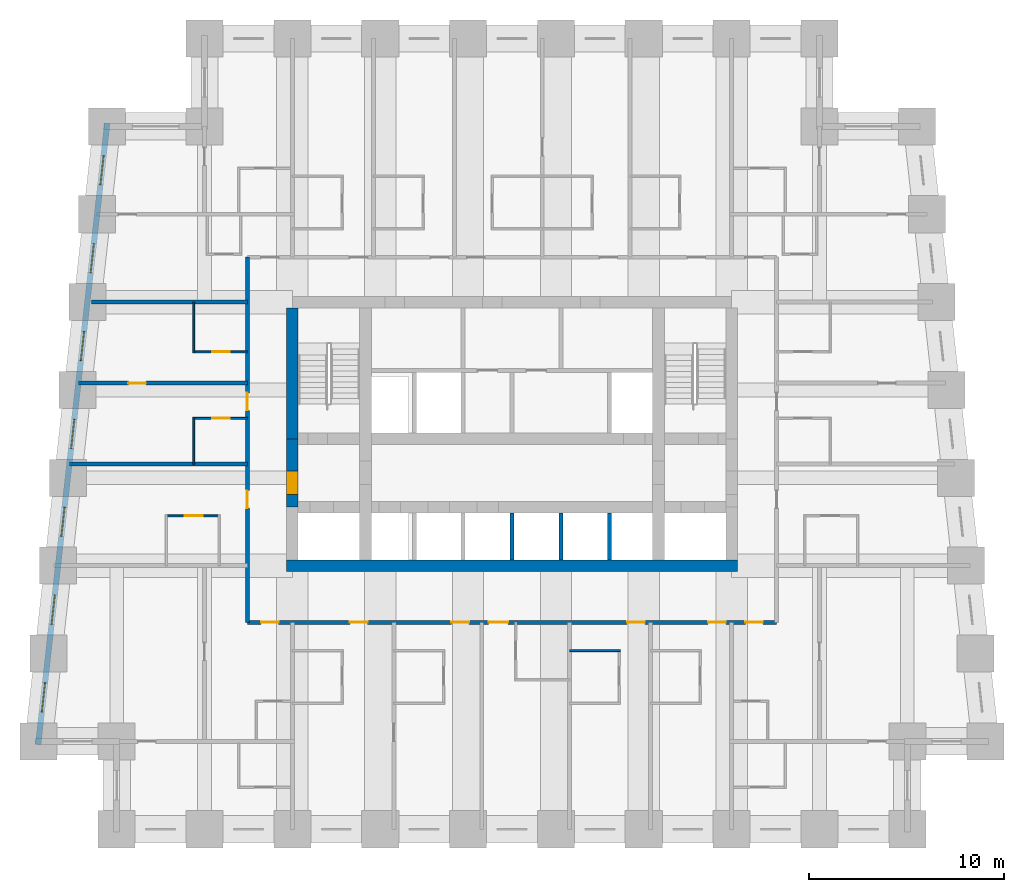
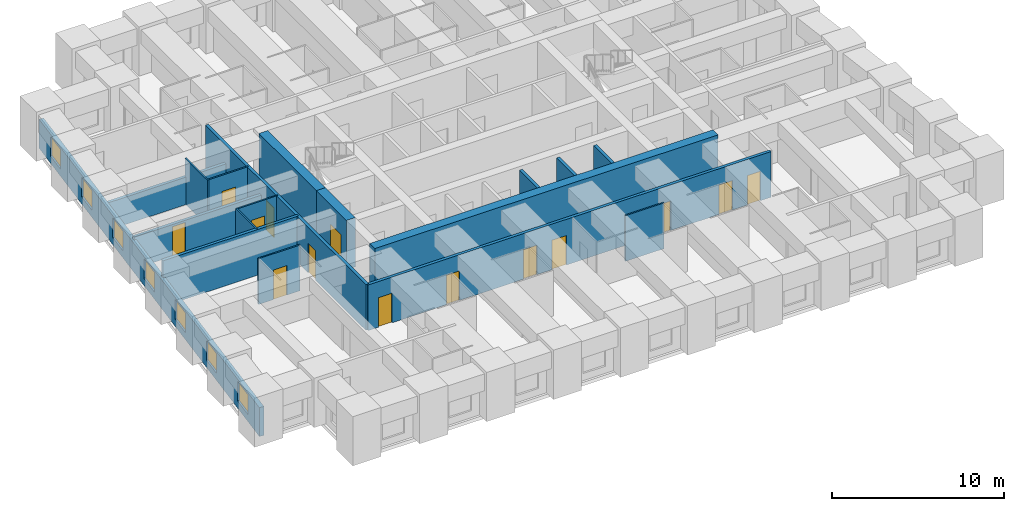
# One storey, part 3 of 8: 18 walls, 14 doors, 7 windows, 21 openings.
"""IFC4 building model written with IfcOpenShell, lengths in metres."""

from ifc_helpers import new_model, si_unit, direction, frame, frame_2d, origin, place, context, subcontext, project, spatial, rectangle, extrude, material, layer, layer_set, type_object, element, fill, save


model = new_model("IFC4")

# Units and contexts
model_context = context("Model", 3, precision=1e-05, world=origin(), true_north=direction((0.0, 1.0)))
body_context = subcontext(model_context, "Body", "Model", "MODEL_VIEW")
ifc_project = project(units=[si_unit("LENGTHUNIT", "METRE"), si_unit("AREAUNIT", "SQUARE_METRE"), si_unit("VOLUMEUNIT", "CUBIC_METRE"), si_unit("PLANEANGLEUNIT", "RADIAN"), si_unit("MASSUNIT", "GRAM", prefix="KILO")], contexts=[model_context])

# Site, building, storey
site_placement = place(None, origin())
site = spatial("IfcSite", under=ifc_project, at=site_placement, CompositionType="ELEMENT")
building_placement = place(site_placement, origin())
building = spatial("IfcBuilding", under=site, at=building_placement, Name="Kilele Tower Hotel", CompositionType="ELEMENT")
storey_placement = place(building_placement, frame((0.0, 0.0, 40.199951171875)))
storey = spatial("IfcBuildingStorey", under=building, at=storey_placement, Name="L08", CompositionType="ELEMENT", Elevation=40.199951171875)

# Wall
ifc_material_1 = material(Name="Moisture-resistant board")
ifc_layer_1 = layer(ifc_material_1, 0.10009765625)
ifc_layer_set_1 = layer_set([ifc_layer_1], Name="Moisture-resistant board")
wall_type_1 = type_object("IfcWallType", Name="Bathroom partition 100", PredefinedType="PLUMBINGWALL", material=ifc_layer_set_1)
wall_1_placement = place(storey_placement, frame((27.699951171875, 9.14990234375, 0.0), z_axis=(0.0, 0.0, 1.0), x_axis=(1.0, 0.0, 0.0)))
element("IfcWall", 1, at=wall_1_placement, inside=storey, type_object=wall_type_1, Name="Bathroom partition 100 L08", PredefinedType="PLUMBINGWALL", context=body_context, shape_type="SweptSolid", body=[
    extrude(rectangle(XDim=2.60009765625, YDim=0.10009765625, at=frame_2d((1.300048828125, 0.0))), origin(), (0.0, 0.0, 1.0), 3.25),
])

# Wall, opening, door
wall_2_placement = place(storey_placement, frame((9.800048828125, 16.050048828125, 0.0), z_axis=(0.0, 0.0, 1.0), x_axis=(-1.0, 0.0, 0.0)))
wall_2 = element("IfcWall", 2, at=wall_2_placement, inside=storey, type_object=wall_type_1, Name="Bathroom partition 100 L08", PredefinedType="PLUMBINGWALL", context=body_context, shape_type="SweptSolid", body=[
    extrude(rectangle(XDim=2.800048828125, YDim=0.10009765625, at=frame_2d((1.39990234375, 0.0))), origin(), (0.0, 0.0, 1.0), 3.25),
])
opening_1_placement = place(wall_2_placement, frame((1.7998046875, 0.0, 0.0), z_axis=(0.0, 0.0, 1.0), x_axis=(-1.0, 0.0, 0.0)))
opening_1 = element("IfcOpeningElement", 3, at=opening_1_placement, cuts=wall_2, Name="Opening D2A", PredefinedType="OPENING", context=body_context, shape_type="SweptSolid", body=[
    extrude(rectangle(XDim=0.89990234375, YDim=2.10009765625, at=frame_2d((0.449951171875, 1.050048828125))), frame((0.0, 0.06005859375, 0.0), z_axis=(0.0, -1.0, 0.0), x_axis=(1.0, 0.0, 0.0)), (0.0, 0.0, 1.0), 0.1201171875),
])
ifc_material_2 = material(Name="Timber door leaf in hardwood frame", Category="wood")
door_type_1 = type_object("IfcDoorType", Name="Bathroom door 900", OperationType="SINGLE_SWING_LEFT", PredefinedType="DOOR", material=ifc_material_2)
door_1_placement = place(opening_1_placement, origin())
door_1 = element("IfcDoor", 4, at=door_1_placement, inside=storey, type_object=door_type_1, Name="Bathroom door 0814B", OperationType="SINGLE_SWING_RIGHT", OverallHeight=2.10009765625, OverallWidth=0.89990234375, PredefinedType="DOOR", context=body_context, shape_type="SweptSolid", body=[
    extrude(rectangle(XDim=0.89990234375, YDim=2.10009765625, at=frame_2d((0.449951171875, 1.050048828125))), frame((0.0, 0.02490234375, 0.0), z_axis=(0.0, -1.0, 0.0), x_axis=(1.0, 0.0, 0.0)), (0.0, 0.0, 1.0), 0.050048828125),
])
fill(opening_1, door_1)

# Wall
wall_3_placement = place(storey_placement, frame((8.449951171875, 18.699951171875, 0.0), z_axis=(0.0, 0.0, 1.0), x_axis=(0.0, 1.0, 0.0)))
element("IfcWall", 5, at=wall_3_placement, inside=storey, type_object=wall_type_1, Name="Bathroom partition 100 L08", PredefinedType="PLUMBINGWALL", context=body_context, shape_type="SweptSolid", body=[
    extrude(rectangle(XDim=2.400146484375, YDim=0.10009765625, at=frame_2d((1.2001953125, 0.0))), origin(), (0.0, 0.0, 1.0), 3.25),
])

# Wall, opening, door
wall_4_placement = place(storey_placement, frame((11.199951171875, 21.050048828125, 0.0), z_axis=(0.0, 0.0, 1.0), x_axis=(-1.0, 0.0, 0.0)))
wall_4 = element("IfcWall", 6, at=wall_4_placement, inside=storey, type_object=wall_type_1, Name="Bathroom partition 100 L08", PredefinedType="PLUMBINGWALL", context=body_context, shape_type="SweptSolid", body=[
    extrude(rectangle(XDim=2.800048828125, YDim=0.10009765625, at=frame_2d((1.39990234375, 0.0))), origin(), (0.0, 0.0, 1.0), 3.25),
])
opening_2_placement = place(wall_4_placement, frame((1.7998046875, 0.0, 0.0), z_axis=(0.0, 0.0, 1.0), x_axis=(-1.0, 0.0, 0.0)))
opening_2 = element("IfcOpeningElement", 7, at=opening_2_placement, cuts=wall_4, Name="Opening D2A", PredefinedType="OPENING", context=body_context, shape_type="SweptSolid", body=[
    extrude(rectangle(XDim=0.89990234375, YDim=2.10009765625, at=frame_2d((0.449951171875, 1.050048828125))), frame((0.0, 0.06005859375, 0.0), z_axis=(0.0, -1.0, 0.0), x_axis=(1.0, 0.0, 0.0)), (0.0, 0.0, 1.0), 0.1201171875),
])
door_2_placement = place(opening_2_placement, origin())
door_2 = element("IfcDoor", 8, at=door_2_placement, inside=storey, type_object=door_type_1, Name="Bathroom door 0815B", OperationType="SINGLE_SWING_RIGHT", OverallHeight=2.10009765625, OverallWidth=0.89990234375, PredefinedType="DOOR", context=body_context, shape_type="SweptSolid", body=[
    extrude(rectangle(XDim=0.89990234375, YDim=2.10009765625, at=frame_2d((0.449951171875, 1.050048828125))), frame((0.0, 0.02490234375, 0.0), z_axis=(0.0, -1.0, 0.0), x_axis=(1.0, 0.0, 0.0)), (0.0, 0.0, 1.0), 0.050048828125),
])
fill(opening_2, door_2)

# Wall
wall_5_placement = place(storey_placement, frame((8.449951171875, 24.39990234375, 0.0), z_axis=(0.0, 0.0, 1.0), x_axis=(0.0, 1.0, 0.0)))
element("IfcWall", 9, at=wall_5_placement, inside=storey, type_object=wall_type_1, Name="Bathroom partition 100 L08", PredefinedType="PLUMBINGWALL", context=body_context, shape_type="SweptSolid", body=[
    extrude(rectangle(XDim=2.60009765625, YDim=0.10009765625, at=frame_2d((1.300048828125, 0.0))), origin(), (0.0, 0.0, 1.0), 3.25),
])

# Wall, opening, door
wall_6_placement = place(storey_placement, frame((11.199951171875, 24.449951171875, 0.0), z_axis=(0.0, 0.0, 1.0), x_axis=(-1.0, 0.0, 0.0)))
wall_6 = element("IfcWall", 10, at=wall_6_placement, inside=storey, type_object=wall_type_1, Name="Bathroom partition 100 L08", PredefinedType="PLUMBINGWALL", context=body_context, shape_type="SweptSolid", body=[
    extrude(rectangle(XDim=2.800048828125, YDim=0.10009765625, at=frame_2d((1.39990234375, 0.0))), origin(), (0.0, 0.0, 1.0), 3.25),
])
opening_3_placement = place(wall_6_placement, frame((0.89990234375, 0.0, 0.0)))
opening_3 = element("IfcOpeningElement", 11, at=opening_3_placement, cuts=wall_6, Name="Opening D2A", PredefinedType="OPENING", context=body_context, shape_type="SweptSolid", body=[
    extrude(rectangle(XDim=0.89990234375, YDim=2.10009765625, at=frame_2d((0.449951171875, 1.050048828125))), frame((0.0, 0.06005859375, 0.0), z_axis=(0.0, -1.0, 0.0), x_axis=(1.0, 0.0, 0.0)), (0.0, 0.0, 1.0), 0.1201171875),
])
door_3_placement = place(opening_3_placement, origin())
door_3 = element("IfcDoor", 12, at=door_3_placement, inside=storey, type_object=door_type_1, Name="Bathroom door 0816B", OperationType="SINGLE_SWING_LEFT", OverallHeight=2.10009765625, OverallWidth=0.89990234375, PredefinedType="DOOR", context=body_context, shape_type="SweptSolid", body=[
    extrude(rectangle(XDim=0.89990234375, YDim=2.10009765625, at=frame_2d((0.449951171875, 1.050048828125))), frame((0.0, 0.02490234375, 0.0), z_axis=(0.0, -1.0, 0.0), x_axis=(1.0, 0.0, 0.0)), (0.0, 0.0, 1.0), 0.050048828125),
])
fill(opening_3, door_3)

# Walls
ifc_material_3 = material(Name="Concrete C60/75", Category="concrete")
ifc_layer_2 = layer(ifc_material_3, 0.60009765625)
ifc_layer_set_2 = layer_set([ifc_layer_2], Name="Concrete C60/75")
wall_type_2 = type_object("IfcWallType", Name="Core wall 600 C60/75", PredefinedType="SHEAR", material=ifc_layer_set_2)
wall_7_placement = place(storey_placement, frame((13.199951171875, 13.5, 0.0), z_axis=(0.0, 0.0, 1.0), x_axis=(1.0, 0.0, 0.0)))
element("IfcWall", 13, at=wall_7_placement, inside=storey, type_object=wall_type_2, Name="Core wall S L08", PredefinedType="SHEAR", context=body_context, shape_type="SweptSolid", body=[
    extrude(rectangle(XDim=23.10009765625, YDim=0.60009765625, at=frame_2d((11.550048828125, 0.0))), origin(), (0.0, 0.0, 1.0), 3.5),
])
wall_8_placement = place(storey_placement, frame((13.5, 26.699951171875, 0.0), z_axis=(0.0, 0.0, 1.0), x_axis=(0.0, -1.0, 0.0)))
element("IfcWall", 14, at=wall_8_placement, inside=storey, type_object=wall_type_2, Name="Core wall W1 L08", PredefinedType="SHEAR", context=body_context, shape_type="SweptSolid", body=[
    extrude(rectangle(XDim=6.699951171875, YDim=0.60009765625, at=frame_2d((3.35009765625, 0.0))), origin(), (0.0, 0.0, 1.0), 3.5),
])

# Wall, opening, door
wall_9_placement = place(storey_placement, frame((13.5, 20.0, 0.0), z_axis=(0.0, 0.0, 1.0), x_axis=(0.0, -1.0, 0.0)))
wall_9 = element("IfcWall", 15, at=wall_9_placement, inside=storey, type_object=wall_type_2, Name="Core wall W2 L08", PredefinedType="SHEAR", context=body_context, shape_type="SweptSolid", body=[
    extrude(rectangle(XDim=3.5, YDim=0.60009765625, at=frame_2d((1.75, 0.0))), origin(), (0.0, 0.0, 1.0), 3.5),
])
opening_4_placement = place(wall_9_placement, frame((1.64990234375, 0.0, 0.0)))
opening_4 = element("IfcOpeningElement", 16, at=opening_4_placement, cuts=wall_9, Name="Opening D4", PredefinedType="OPENING", context=body_context, shape_type="SweptSolid", body=[
    extrude(rectangle(XDim=1.199951171875, YDim=2.10009765625, at=frame_2d((0.60009765625, 1.050048828125))), frame((0.0, 0.31005859375, 0.0), z_axis=(0.0, -1.0, 0.0), x_axis=(1.0, 0.0, 0.0)), (0.0, 0.0, 1.0), 0.6201171875),
])
ifc_material_4 = material(Name="Timber door leaf in hardwood frame", Category="wood")
door_type_2 = type_object("IfcDoorType", Name="Firefighting lobby door 1200", OperationType="SINGLE_SWING_LEFT", PredefinedType="DOOR", material=ifc_material_4)
door_4_placement = place(opening_4_placement, origin())
door_4 = element("IfcDoor", 17, at=door_4_placement, inside=storey, type_object=door_type_2, Name="Lobby door L08", OperationType="SINGLE_SWING_RIGHT", OverallHeight=2.10009765625, OverallWidth=1.199951171875, PredefinedType="DOOR", context=body_context, shape_type="SweptSolid", body=[
    extrude(rectangle(XDim=1.199951171875, YDim=2.10009765625, at=frame_2d((0.60009765625, 1.050048828125))), frame((0.0, 0.2998046875, 0.0), z_axis=(0.0, -1.0, 0.0), x_axis=(1.0, 0.0, 0.0)), (0.0, 0.0, 1.0), 0.599609375),
])
fill(opening_4, door_4)

# Wall, openings, doors
ifc_material_5 = material(Name="Blockwork, plastered both sides", Category="masonry")
ifc_layer_3 = layer(ifc_material_5, 0.199951171875)
ifc_layer_set_3 = layer_set([ifc_layer_3], Name="Blockwork, plastered both sides")
wall_type_3 = type_object("IfcWallType", Name="Corridor wall 200", PredefinedType="PARTITIONING", material=ifc_layer_set_3)
wall_10_placement = place(storey_placement, frame((11.199951171875, 10.60009765625, 0.0), z_axis=(0.0, 0.0, 1.0), x_axis=(1.0, 0.0, 0.0)))
wall_10 = element("IfcWall", 18, at=wall_10_placement, inside=storey, type_object=wall_type_3, Name="Corridor wall 200 L08", PredefinedType="PARTITIONING", context=body_context, shape_type="SweptSolid", body=[
    extrude(rectangle(XDim=27.10009765625, YDim=0.199951171875, at=frame_2d((13.550048828125, 0.0))), origin(), (0.0, 0.0, 1.0), 3.25),
])
opening_5_placement = place(wall_10_placement, frame((6.14990234375, 0.0, 0.0), z_axis=(0.0, 0.0, 1.0), x_axis=(-1.0, 0.0, 0.0)))
opening_5 = element("IfcOpeningElement", 19, at=opening_5_placement, cuts=wall_10, Name="Opening D1", PredefinedType="OPENING", context=body_context, shape_type="SweptSolid", body=[
    extrude(rectangle(XDim=0.89990234375, YDim=2.10009765625, at=frame_2d((0.449951171875, 1.050048828125))), frame((0.0, 0.10986328125, 0.0), z_axis=(0.0, -1.0, 0.0), x_axis=(1.0, 0.0, 0.0)), (0.0, 0.0, 1.0), 0.219970703125),
])
opening_6_placement = place(wall_10_placement, frame((11.349853515625, 0.0, 0.0), z_axis=(0.0, 0.0, 1.0), x_axis=(-1.0, 0.0, 0.0)))
opening_6 = element("IfcOpeningElement", 20, at=opening_6_placement, cuts=wall_10, Name="Opening D1", PredefinedType="OPENING", context=body_context, shape_type="SweptSolid", body=[
    extrude(rectangle(XDim=0.89990234375, YDim=2.10009765625, at=frame_2d((0.449951171875, 1.050048828125))), frame((0.0, 0.10986328125, 0.0), z_axis=(0.0, -1.0, 0.0), x_axis=(1.0, 0.0, 0.0)), (0.0, 0.0, 1.0), 0.219970703125),
])
opening_7_placement = place(wall_10_placement, frame((13.35009765625, 0.0, 0.0), z_axis=(0.0, 0.0, 1.0), x_axis=(-1.0, 0.0, 0.0)))
opening_7 = element("IfcOpeningElement", 21, at=opening_7_placement, cuts=wall_10, Name="Opening D1A", PredefinedType="OPENING", context=body_context, shape_type="SweptSolid", body=[
    extrude(rectangle(XDim=1.0, YDim=2.10009765625, at=frame_2d((0.5, 1.050048828125))), frame((0.0, 0.10986328125, 0.0), z_axis=(0.0, -1.0, 0.0), x_axis=(1.0, 0.0, 0.0)), (0.0, 0.0, 1.0), 0.219970703125),
])
opening_8_placement = place(wall_10_placement, frame((20.349853515625, 0.0, 0.0), z_axis=(0.0, 0.0, 1.0), x_axis=(-1.0, 0.0, 0.0)))
opening_8 = element("IfcOpeningElement", 22, at=opening_8_placement, cuts=wall_10, Name="Opening D1", PredefinedType="OPENING", context=body_context, shape_type="SweptSolid", body=[
    extrude(rectangle(XDim=0.89990234375, YDim=2.10009765625, at=frame_2d((0.449951171875, 1.050048828125))), frame((0.0, 0.10986328125, 0.0), z_axis=(0.0, -1.0, 0.0), x_axis=(1.0, 0.0, 0.0)), (0.0, 0.0, 1.0), 0.219970703125),
])
opening_9_placement = place(wall_10_placement, frame((24.5, 0.0, 0.0), z_axis=(0.0, 0.0, 1.0), x_axis=(-1.0, 0.0, 0.0)))
opening_9 = element("IfcOpeningElement", 23, at=opening_9_placement, cuts=wall_10, Name="Opening D1", PredefinedType="OPENING", context=body_context, shape_type="SweptSolid", body=[
    extrude(rectangle(XDim=0.89990234375, YDim=2.10009765625, at=frame_2d((0.449951171875, 1.050048828125))), frame((0.0, 0.10986328125, 0.0), z_axis=(0.0, -1.0, 0.0), x_axis=(1.0, 0.0, 0.0)), (0.0, 0.0, 1.0), 0.219970703125),
])
opening_10_placement = place(wall_10_placement, frame((1.599853515625, 0.0, 0.0), z_axis=(0.0, 0.0, 1.0), x_axis=(-1.0, 0.0, 0.0)))
opening_10 = element("IfcOpeningElement", 24, at=opening_10_placement, cuts=wall_10, Name="Opening D1", PredefinedType="OPENING", context=body_context, shape_type="SweptSolid", body=[
    extrude(rectangle(XDim=0.89990234375, YDim=2.10009765625, at=frame_2d((0.449951171875, 1.050048828125))), frame((0.0, 0.10986328125, 0.0), z_axis=(0.0, -1.0, 0.0), x_axis=(1.0, 0.0, 0.0)), (0.0, 0.0, 1.0), 0.219970703125),
])
opening_11_placement = place(wall_10_placement, frame((26.39990234375, 0.0, 0.0), z_axis=(0.0, 0.0, 1.0), x_axis=(-1.0, 0.0, 0.0)))
opening_11 = element("IfcOpeningElement", 25, at=opening_11_placement, cuts=wall_10, Name="Opening D1", PredefinedType="OPENING", context=body_context, shape_type="SweptSolid", body=[
    extrude(rectangle(XDim=0.89990234375, YDim=2.10009765625, at=frame_2d((0.449951171875, 1.050048828125))), frame((0.0, 0.10986328125, 0.0), z_axis=(0.0, -1.0, 0.0), x_axis=(1.0, 0.0, 0.0)), (0.0, 0.0, 1.0), 0.219970703125),
])
ifc_material_6 = material(Name="Timber door leaf in hardwood frame", Category="wood")
door_type_3 = type_object("IfcDoorType", Name="Guest room entrance door 1000", OperationType="SINGLE_SWING_LEFT", PredefinedType="DOOR", material=ifc_material_6)
door_5_placement = place(opening_7_placement, origin())
door_5 = element("IfcDoor", 26, at=door_5_placement, inside=storey, type_object=door_type_3, Name="Room entrance 0803", OperationType="SINGLE_SWING_RIGHT", OverallHeight=2.10009765625, OverallWidth=1.0, PredefinedType="DOOR", context=body_context, shape_type="SweptSolid", body=[
    extrude(rectangle(XDim=1.0, YDim=2.10009765625, at=frame_2d((0.5, 1.050048828125))), frame((0.0, 0.02490234375, 0.0), z_axis=(0.0, -1.0, 0.0), x_axis=(1.0, 0.0, 0.0)), (0.0, 0.0, 1.0), 0.050048828125),
])
fill(opening_7, door_5)
ifc_material_7 = material(Name="Timber door leaf in hardwood frame", Category="wood")
door_type_4 = type_object("IfcDoorType", Name="Guest room entrance door 900", OperationType="SINGLE_SWING_LEFT", PredefinedType="DOOR", material=ifc_material_7)
door_6_placement = place(opening_5_placement, origin())
door_6 = element("IfcDoor", 27, at=door_6_placement, inside=storey, type_object=door_type_4, Name="Room entrance 0801", OperationType="SINGLE_SWING_LEFT", OverallHeight=2.10009765625, OverallWidth=0.89990234375, PredefinedType="DOOR", context=body_context, shape_type="SweptSolid", body=[
    extrude(rectangle(XDim=0.89990234375, YDim=2.10009765625, at=frame_2d((0.449951171875, 1.050048828125))), frame((0.0, 0.02490234375, 0.0), z_axis=(0.0, -1.0, 0.0), x_axis=(1.0, 0.0, 0.0)), (0.0, 0.0, 1.0), 0.050048828125),
])
fill(opening_5, door_6)
door_7_placement = place(opening_6_placement, origin())
door_7 = element("IfcDoor", 28, at=door_7_placement, inside=storey, type_object=door_type_4, Name="Room entrance 0802", OperationType="SINGLE_SWING_LEFT", OverallHeight=2.10009765625, OverallWidth=0.89990234375, PredefinedType="DOOR", context=body_context, shape_type="SweptSolid", body=[
    extrude(rectangle(XDim=0.89990234375, YDim=2.10009765625, at=frame_2d((0.449951171875, 1.050048828125))), frame((0.0, 0.02490234375, 0.0), z_axis=(0.0, -1.0, 0.0), x_axis=(1.0, 0.0, 0.0)), (0.0, 0.0, 1.0), 0.050048828125),
])
fill(opening_6, door_7)
door_8_placement = place(opening_8_placement, origin())
door_8 = element("IfcDoor", 29, at=door_8_placement, inside=storey, type_object=door_type_4, Name="Room entrance 0804", OperationType="SINGLE_SWING_LEFT", OverallHeight=2.10009765625, OverallWidth=0.89990234375, PredefinedType="DOOR", context=body_context, shape_type="SweptSolid", body=[
    extrude(rectangle(XDim=0.89990234375, YDim=2.10009765625, at=frame_2d((0.449951171875, 1.050048828125))), frame((0.0, 0.02490234375, 0.0), z_axis=(0.0, -1.0, 0.0), x_axis=(1.0, 0.0, 0.0)), (0.0, 0.0, 1.0), 0.050048828125),
])
fill(opening_8, door_8)
door_9_placement = place(opening_9_placement, origin())
door_9 = element("IfcDoor", 30, at=door_9_placement, inside=storey, type_object=door_type_4, Name="Room entrance 0805", OperationType="SINGLE_SWING_LEFT", OverallHeight=2.10009765625, OverallWidth=0.89990234375, PredefinedType="DOOR", context=body_context, shape_type="SweptSolid", body=[
    extrude(rectangle(XDim=0.89990234375, YDim=2.10009765625, at=frame_2d((0.449951171875, 1.050048828125))), frame((0.0, 0.02490234375, 0.0), z_axis=(0.0, -1.0, 0.0), x_axis=(1.0, 0.0, 0.0)), (0.0, 0.0, 1.0), 0.050048828125),
])
fill(opening_9, door_9)
door_10_placement = place(opening_10_placement, origin())
door_10 = element("IfcDoor", 31, at=door_10_placement, inside=storey, type_object=door_type_4, Name="Room entrance 0817", OperationType="SINGLE_SWING_LEFT", OverallHeight=2.10009765625, OverallWidth=0.89990234375, PredefinedType="DOOR", context=body_context, shape_type="SweptSolid", body=[
    extrude(rectangle(XDim=0.89990234375, YDim=2.10009765625, at=frame_2d((0.449951171875, 1.050048828125))), frame((0.0, 0.02490234375, 0.0), z_axis=(0.0, -1.0, 0.0), x_axis=(1.0, 0.0, 0.0)), (0.0, 0.0, 1.0), 0.050048828125),
])
fill(opening_10, door_10)
door_11_placement = place(opening_11_placement, origin())
door_11 = element("IfcDoor", 32, at=door_11_placement, inside=storey, type_object=door_type_4, Name="Room entrance 0820", OperationType="SINGLE_SWING_RIGHT", OverallHeight=2.10009765625, OverallWidth=0.89990234375, PredefinedType="DOOR", context=body_context, shape_type="SweptSolid", body=[
    extrude(rectangle(XDim=0.89990234375, YDim=2.10009765625, at=frame_2d((0.449951171875, 1.050048828125))), frame((0.0, 0.02490234375, 0.0), z_axis=(0.0, -1.0, 0.0), x_axis=(1.0, 0.0, 0.0)), (0.0, 0.0, 1.0), 0.050048828125),
])
fill(opening_11, door_11)

wall_11_placement = place(storey_placement, frame((11.199951171875, 10.60009765625, 0.0), z_axis=(0.0, 0.0, 1.0), x_axis=(0.0, 1.0, 0.0)))
wall_11 = element("IfcWall", 33, at=wall_11_placement, inside=storey, type_object=wall_type_3, Name="Corridor wall 200 L08", PredefinedType="PARTITIONING", context=body_context, shape_type="SweptSolid", body=[
    extrude(rectangle(XDim=18.699951171875, YDim=0.199951171875, at=frame_2d((9.35009765625, 0.0))), origin(), (0.0, 0.0, 1.0), 3.25),
])
opening_12_placement = place(wall_11_placement, frame((5.85009765625, 0.0, 0.0)))
opening_12 = element("IfcOpeningElement", 34, at=opening_12_placement, cuts=wall_11, Name="Opening D1", PredefinedType="OPENING", context=body_context, shape_type="SweptSolid", body=[
    extrude(rectangle(XDim=0.89990234375, YDim=2.10009765625, at=frame_2d((0.449951171875, 1.050048828125))), frame((0.0, 0.10986328125, 0.0), z_axis=(0.0, -1.0, 0.0), x_axis=(1.0, 0.0, 0.0)), (0.0, 0.0, 1.0), 0.219970703125),
])
opening_13_placement = place(wall_11_placement, frame((10.85009765625, 0.0, 0.0)))
opening_13 = element("IfcOpeningElement", 35, at=opening_13_placement, cuts=wall_11, Name="Opening D1", PredefinedType="OPENING", context=body_context, shape_type="SweptSolid", body=[
    extrude(rectangle(XDim=0.89990234375, YDim=2.10009765625, at=frame_2d((0.449951171875, 1.050048828125))), frame((0.0, 0.10986328125, 0.0), z_axis=(0.0, -1.0, 0.0), x_axis=(1.0, 0.0, 0.0)), (0.0, 0.0, 1.0), 0.219970703125),
])
door_12_placement = place(opening_12_placement, origin())
door_12 = element("IfcDoor", 36, at=door_12_placement, inside=storey, type_object=door_type_4, Name="Room entrance 0814", OperationType="SINGLE_SWING_RIGHT", OverallHeight=2.10009765625, OverallWidth=0.89990234375, PredefinedType="DOOR", context=body_context, shape_type="SweptSolid", body=[
    extrude(rectangle(XDim=0.89990234375, YDim=2.10009765625, at=frame_2d((0.449951171875, 1.050048828125))), frame((0.0, 0.02490234375, 0.0), z_axis=(0.0, -1.0, 0.0), x_axis=(1.0, 0.0, 0.0)), (0.0, 0.0, 1.0), 0.050048828125),
])
fill(opening_12, door_12)
door_13_placement = place(opening_13_placement, origin())
door_13 = element("IfcDoor", 37, at=door_13_placement, inside=storey, type_object=door_type_4, Name="Room entrance 0815", OperationType="SINGLE_SWING_RIGHT", OverallHeight=2.10009765625, OverallWidth=0.89990234375, PredefinedType="DOOR", context=body_context, shape_type="SweptSolid", body=[
    extrude(rectangle(XDim=0.89990234375, YDim=2.10009765625, at=frame_2d((0.449951171875, 1.050048828125))), frame((0.0, 0.02490234375, 0.0), z_axis=(0.0, -1.0, 0.0), x_axis=(1.0, 0.0, 0.0)), (0.0, 0.0, 1.0), 0.050048828125),
])
fill(opening_13, door_13)

# Wall
ifc_material_8 = material(Name="Blockwork, plastered both sides", Category="masonry")
ifc_layer_4 = layer(ifc_material_8, 0.199951171875)
ifc_layer_set_4 = layer_set([ifc_layer_4], Name="Blockwork, plastered both sides")
wall_type_4 = type_object("IfcWallType", Name="Party wall 200", PredefinedType="PARTITIONING", material=ifc_layer_set_4)
wall_12_placement = place(storey_placement, frame((11.199951171875, 18.699951171875, 0.0), z_axis=(0.0, 0.0, 1.0), x_axis=(-1.0, 0.0, 0.0)))
element("IfcWall", 38, at=wall_12_placement, inside=storey, type_object=wall_type_4, Name="Party wall 200 L08", PredefinedType="PARTITIONING", context=body_context, shape_type="SweptSolid", body=[
    extrude(rectangle(XDim=9.121337890625, YDim=0.199951171875, at=frame_2d((4.560546875, 0.0))), origin(), (0.0, 0.0, 1.0), 3.25),
])

# Wall, opening, door
wall_13_placement = place(storey_placement, frame((11.199951171875, 22.85009765625, 0.0), z_axis=(0.0, 0.0, 1.0), x_axis=(-1.0, 0.0, 0.0)))
wall_13 = element("IfcWall", 39, at=wall_13_placement, inside=storey, type_object=wall_type_4, Name="Party wall 200 L08", PredefinedType="PARTITIONING", context=body_context, shape_type="SweptSolid", body=[
    extrude(rectangle(XDim=8.66015625, YDim=0.199951171875, at=frame_2d((4.330078125, 0.0))), origin(), (0.0, 0.0, 1.0), 2.25),
])
opening_14_placement = place(wall_13_placement, frame((5.199951171875, 0.0, 0.0)))
opening_14 = element("IfcOpeningElement", 40, at=opening_14_placement, cuts=wall_13, Name="Opening D3", PredefinedType="OPENING", context=body_context, shape_type="SweptSolid", body=[
    extrude(rectangle(XDim=0.89990234375, YDim=2.10009765625, at=frame_2d((0.449951171875, 1.050048828125))), frame((0.0, 0.10986328125, 0.0), z_axis=(0.0, -1.0, 0.0), x_axis=(1.0, 0.0, 0.0)), (0.0, 0.0, 1.0), 0.219970703125),
])
ifc_material_9 = material(Name="Timber door leaf in hardwood frame", Category="wood")
door_type_5 = type_object("IfcDoorType", Name="Suite internal door 900", OperationType="SINGLE_SWING_LEFT", PredefinedType="DOOR", material=ifc_material_9)
door_14_placement = place(opening_14_placement, origin())
door_14 = element("IfcDoor", 41, at=door_14_placement, inside=storey, type_object=door_type_5, Name="Suite door 0816", OperationType="SINGLE_SWING_RIGHT", OverallHeight=2.10009765625, OverallWidth=0.89990234375, PredefinedType="DOOR", context=body_context, shape_type="SweptSolid", body=[
    extrude(rectangle(XDim=0.89990234375, YDim=2.10009765625, at=frame_2d((0.449951171875, 1.050048828125))), frame((0.0, 0.02490234375, 0.0), z_axis=(0.0, -1.0, 0.0), x_axis=(1.0, 0.0, 0.0)), (0.0, 0.0, 1.0), 0.050048828125),
])
fill(opening_14, door_14)

# Wall
wall_14_placement = place(storey_placement, frame((11.199951171875, 27.0, 0.0), z_axis=(0.0, 0.0, 1.0), x_axis=(-1.0, 0.0, 0.0)))
element("IfcWall", 42, at=wall_14_placement, inside=storey, type_object=wall_type_4, Name="Party wall 200 L08", PredefinedType="PARTITIONING", context=body_context, shape_type="SweptSolid", body=[
    extrude(rectangle(XDim=7.976806640625, YDim=0.199951171875, at=frame_2d((3.98828125, 0.0))), origin(), (0.0, 0.0, 1.0), 1.949951171875),
])

# Wall, openings, windows
ifc_material_10 = material(Name="Concrete C40/50 precast", Category="concrete")
ifc_layer_5 = layer(ifc_material_10, 0.260009765625, Name="Precast backing", Category="LoadBearing")
ifc_material_11 = material(Name="Reconstituted stone finish", Category="masonry")
ifc_layer_6 = layer(ifc_material_11, 0.0400390625, Name="Face mix", Category="Finish")
ifc_layer_set_5 = layer_set([ifc_layer_5, ifc_layer_6], Name="Precast concrete C40/50, reconstituted stone finish")
wall_type_5 = type_object("IfcWallType", Name="Precast stone facade wall 300", PredefinedType="STANDARD", material=ifc_layer_set_5)
wall_15_placement = place(storey_placement, frame((4.0166015625, 36.149169921875, 0.0), z_axis=(0.0, 0.0, 1.0), x_axis=(-0.110433201132, -0.993883548555, 0.0)))
wall_15 = element("IfcWall", 43, at=wall_15_placement, inside=storey, type_object=wall_type_5, Name="Facade wall L08 edge 12", PredefinedType="STANDARD", context=body_context, shape_type="SweptSolid", body=[
    extrude(rectangle(XDim=31.994140625, YDim=0.300048828125, at=frame_2d((15.9970703125, 0.0))), origin(), (0.0, 0.0, 1.0), 2.050048828125),
])
opening_15_placement = place(wall_15_placement, frame((1.6640625, 0.0, 0.5)))
opening_15 = element("IfcOpeningElement", 44, at=opening_15_placement, cuts=wall_15, Name="Opening W1", PredefinedType="OPENING", context=body_context, shape_type="SweptSolid", body=[
    extrude(rectangle(XDim=1.5, YDim=1.39990234375, at=frame_2d((0.75, 0.699951171875))), frame((0.0, 0.159912109375, 0.0), z_axis=(0.0, -1.0, 0.0), x_axis=(1.0, 0.0, 0.0)), (0.0, 0.0, 1.0), 0.320068359375),
])
opening_16_placement = place(wall_15_placement, frame((6.19189453125, 0.0, 0.5)))
opening_16 = element("IfcOpeningElement", 45, at=opening_16_placement, cuts=wall_15, Name="Opening W1", PredefinedType="OPENING", context=body_context, shape_type="SweptSolid", body=[
    extrude(rectangle(XDim=1.5, YDim=1.39990234375, at=frame_2d((0.75, 0.699951171875))), frame((0.0, 0.159912109375, 0.0), z_axis=(0.0, -1.0, 0.0), x_axis=(1.0, 0.0, 0.0)), (0.0, 0.0, 1.0), 0.320068359375),
])
opening_17_placement = place(wall_15_placement, frame((10.718994140625, 0.0, 0.5)))
opening_17 = element("IfcOpeningElement", 46, at=opening_17_placement, cuts=wall_15, Name="Opening W1", PredefinedType="OPENING", context=body_context, shape_type="SweptSolid", body=[
    extrude(rectangle(XDim=1.5, YDim=1.39990234375, at=frame_2d((0.75, 0.699951171875))), frame((0.0, 0.159912109375, 0.0), z_axis=(0.0, -1.0, 0.0), x_axis=(1.0, 0.0, 0.0)), (0.0, 0.0, 1.0), 0.320068359375),
])
opening_18_placement = place(wall_15_placement, frame((15.2470703125, 0.0, 0.5)))
opening_18 = element("IfcOpeningElement", 47, at=opening_18_placement, cuts=wall_15, Name="Opening W1", PredefinedType="OPENING", context=body_context, shape_type="SweptSolid", body=[
    extrude(rectangle(XDim=1.5, YDim=1.39990234375, at=frame_2d((0.75, 0.699951171875))), frame((0.0, 0.159912109375, 0.0), z_axis=(0.0, -1.0, 0.0), x_axis=(1.0, 0.0, 0.0)), (0.0, 0.0, 1.0), 0.320068359375),
])
opening_19_placement = place(wall_15_placement, frame((19.77490234375, 0.0, 0.5)))
opening_19 = element("IfcOpeningElement", 48, at=opening_19_placement, cuts=wall_15, Name="Opening W1", PredefinedType="OPENING", context=body_context, shape_type="SweptSolid", body=[
    extrude(rectangle(XDim=1.5, YDim=1.39990234375, at=frame_2d((0.75, 0.699951171875))), frame((0.0, 0.159912109375, 0.0), z_axis=(0.0, -1.0, 0.0), x_axis=(1.0, 0.0, 0.0)), (0.0, 0.0, 1.0), 0.320068359375),
])
opening_20_placement = place(wall_15_placement, frame((24.302001953125, 0.0, 0.5)))
opening_20 = element("IfcOpeningElement", 49, at=opening_20_placement, cuts=wall_15, Name="Opening W1", PredefinedType="OPENING", context=body_context, shape_type="SweptSolid", body=[
    extrude(rectangle(XDim=1.5, YDim=1.39990234375, at=frame_2d((0.75, 0.699951171875))), frame((0.0, 0.159912109375, 0.0), z_axis=(0.0, -1.0, 0.0), x_axis=(1.0, 0.0, 0.0)), (0.0, 0.0, 1.0), 0.320068359375),
])
opening_21_placement = place(wall_15_placement, frame((28.830078125, 0.0, 0.5)))
opening_21 = element("IfcOpeningElement", 50, at=opening_21_placement, cuts=wall_15, Name="Opening W1", PredefinedType="OPENING", context=body_context, shape_type="SweptSolid", body=[
    extrude(rectangle(XDim=1.5, YDim=1.39990234375, at=frame_2d((0.75, 0.699951171875))), frame((0.0, 0.159912109375, 0.0), z_axis=(0.0, -1.0, 0.0), x_axis=(1.0, 0.0, 0.0)), (0.0, 0.0, 1.0), 0.320068359375),
])
ifc_material_12 = material(Name="Aluminium frame, clear double glazing", Category="aluminium")
window_type = type_object("IfcWindowType", Name="Window W1 1500 x 1400", PartitioningType="SINGLE_PANEL", PredefinedType="WINDOW", material=ifc_material_12)
window_1_placement = place(opening_15_placement, origin())
window_1 = element("IfcWindow", 51, at=window_1_placement, inside=storey, type_object=window_type, Name="Window L08", OverallHeight=1.39990234375, OverallWidth=1.5, PartitioningType="SINGLE_PANEL", PredefinedType="WINDOW", context=body_context, shape_type="SweptSolid", body=[
    extrude(rectangle(XDim=1.5, YDim=1.39990234375, at=frame_2d((0.75, 0.699951171875))), frame((0.0, 0.030029296875, 0.0), z_axis=(0.0, -1.0, 0.0), x_axis=(1.0, 0.0, 0.0)), (0.0, 0.0, 1.0), 0.06005859375),
])
fill(opening_15, window_1)
window_2_placement = place(opening_16_placement, origin())
window_2 = element("IfcWindow", 52, at=window_2_placement, inside=storey, type_object=window_type, Name="Window L08", OverallHeight=1.39990234375, OverallWidth=1.5, PartitioningType="SINGLE_PANEL", PredefinedType="WINDOW", context=body_context, shape_type="SweptSolid", body=[
    extrude(rectangle(XDim=1.5, YDim=1.39990234375, at=frame_2d((0.75, 0.699951171875))), frame((0.0, 0.030029296875, 0.0), z_axis=(0.0, -1.0, 0.0), x_axis=(1.0, 0.0, 0.0)), (0.0, 0.0, 1.0), 0.06005859375),
])
fill(opening_16, window_2)
window_3_placement = place(opening_17_placement, origin())
window_3 = element("IfcWindow", 53, at=window_3_placement, inside=storey, type_object=window_type, Name="Window L08", OverallHeight=1.39990234375, OverallWidth=1.5, PartitioningType="SINGLE_PANEL", PredefinedType="WINDOW", context=body_context, shape_type="SweptSolid", body=[
    extrude(rectangle(XDim=1.5, YDim=1.39990234375, at=frame_2d((0.75, 0.699951171875))), frame((0.0, 0.030029296875, 0.0), z_axis=(0.0, -1.0, 0.0), x_axis=(1.0, 0.0, 0.0)), (0.0, 0.0, 1.0), 0.06005859375),
])
fill(opening_17, window_3)
window_4_placement = place(opening_18_placement, origin())
window_4 = element("IfcWindow", 54, at=window_4_placement, inside=storey, type_object=window_type, Name="Window L08", OverallHeight=1.39990234375, OverallWidth=1.5, PartitioningType="SINGLE_PANEL", PredefinedType="WINDOW", context=body_context, shape_type="SweptSolid", body=[
    extrude(rectangle(XDim=1.5, YDim=1.39990234375, at=frame_2d((0.75, 0.699951171875))), frame((0.0, 0.030029296875, 0.0), z_axis=(0.0, -1.0, 0.0), x_axis=(1.0, 0.0, 0.0)), (0.0, 0.0, 1.0), 0.06005859375),
])
fill(opening_18, window_4)
window_5_placement = place(opening_19_placement, origin())
window_5 = element("IfcWindow", 55, at=window_5_placement, inside=storey, type_object=window_type, Name="Window L08", OverallHeight=1.39990234375, OverallWidth=1.5, PartitioningType="SINGLE_PANEL", PredefinedType="WINDOW", context=body_context, shape_type="SweptSolid", body=[
    extrude(rectangle(XDim=1.5, YDim=1.39990234375, at=frame_2d((0.75, 0.699951171875))), frame((0.0, 0.030029296875, 0.0), z_axis=(0.0, -1.0, 0.0), x_axis=(1.0, 0.0, 0.0)), (0.0, 0.0, 1.0), 0.06005859375),
])
fill(opening_19, window_5)
window_6_placement = place(opening_20_placement, origin())
window_6 = element("IfcWindow", 56, at=window_6_placement, inside=storey, type_object=window_type, Name="Window L08", OverallHeight=1.39990234375, OverallWidth=1.5, PartitioningType="SINGLE_PANEL", PredefinedType="WINDOW", context=body_context, shape_type="SweptSolid", body=[
    extrude(rectangle(XDim=1.5, YDim=1.39990234375, at=frame_2d((0.75, 0.699951171875))), frame((0.0, 0.030029296875, 0.0), z_axis=(0.0, -1.0, 0.0), x_axis=(1.0, 0.0, 0.0)), (0.0, 0.0, 1.0), 0.06005859375),
])
fill(opening_20, window_6)
window_7_placement = place(opening_21_placement, origin())
window_7 = element("IfcWindow", 57, at=window_7_placement, inside=storey, type_object=window_type, Name="Window L08", OverallHeight=1.39990234375, OverallWidth=1.5, PartitioningType="SINGLE_PANEL", PredefinedType="WINDOW", context=body_context, shape_type="SweptSolid", body=[
    extrude(rectangle(XDim=1.5, YDim=1.39990234375, at=frame_2d((0.75, 0.699951171875))), frame((0.0, 0.030029296875, 0.0), z_axis=(0.0, -1.0, 0.0), x_axis=(1.0, 0.0, 0.0)), (0.0, 0.0, 1.0), 0.06005859375),
])
fill(opening_21, window_7)

# Walls
ifc_material_13 = material(Name="Blockwork, fire-rated", Category="masonry")
ifc_layer_7 = layer(ifc_material_13, 0.199951171875)
ifc_layer_set_6 = layer_set([ifc_layer_7], Name="Blockwork, fire-rated")
wall_type_6 = type_object("IfcWallType", Name="Shaft wall 200", PredefinedType="PARTITIONING", material=ifc_layer_set_6)
for number, where, z_axis, x_axis, name in (
    (58, (24.75, 13.800048828125, 0.0), (0.0, 0.0, 1.0), (0.0, 1.0, 0.0), "Shaft wall 200 L08"),
    (59, (27.25, 13.800048828125, 0.0), (0.0, 0.0, 1.0), (0.0, 1.0, 0.0), "Shaft wall 200 L08"),
    (60, (29.75, 13.800048828125, 0.0), (0.0, 0.0, 1.0), (0.0, 1.0, 0.0), "Shaft wall 200 L08"),
):
    element("IfcWall", number, at=place(storey_placement, frame(where, z_axis=z_axis, x_axis=x_axis)), inside=storey, type_object=wall_type_6, Name=name, PredefinedType="PARTITIONING", context=body_context, shape_type="SweptSolid", body=[
        extrude(rectangle(XDim=2.39990234375, YDim=0.199951171875, at=frame_2d((1.199951171875, 0.0))), origin(), (0.0, 0.0, 1.0), 3.25),
    ])

save(model, "model.ifc")
